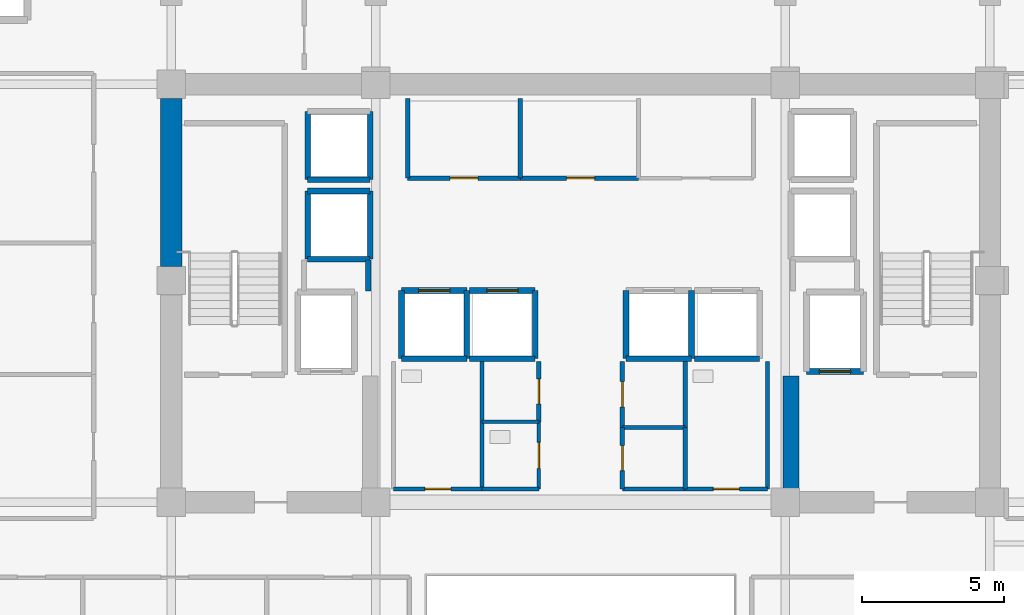
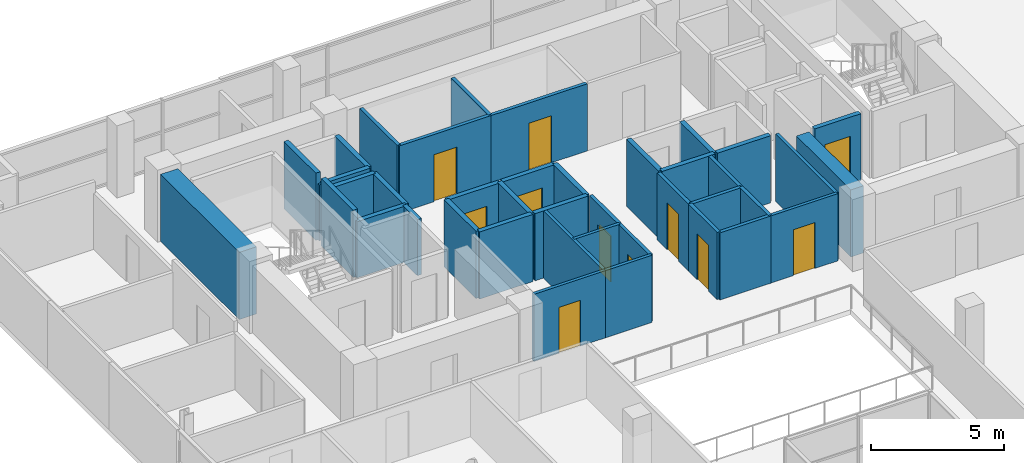
# One storey, part 17 of 23: 40 walls, 11 doors, 11 openings.
"""IFC4 building model written with IfcOpenShell, lengths in metres."""

import ifcopenshell
import ifcopenshell.guid

model = None  # the IFC model being written
_history = None  # IfcOwnerHistory: only IFC2X3 demands one
_inside = {}  # id of a spatial element -> (the spatial element, [elements in it])
_under = {}  # id of a project, library or spatial element -> (it, [spatial elements below it])
_declared = {}  # id of a project -> (the project, [libraries it declares])
_typed = {}  # id of a type object -> (the type object, [elements of that type])
_made_of = {}  # id of a material, layer set ... -> (it, [elements and type objects made of it])


def new_model(schema):
    """Start an empty IFC model of exactly this schema.

    Asked for "IFC4X3", IfcOpenShell would pick the latest addendum, in which some entities
    have other attributes; the version numbers below select the first issue.
    IFC2X3 requires an IfcOwnerHistory on every rooted entity: one is made here for all.
    """
    global model, _history
    if schema == "IFC4X3":
        model = ifcopenshell.file(schema_version=(4, 3, 0, 0))
    else:
        model = ifcopenshell.file(schema=schema)
    _inside.clear()
    _under.clear()
    _declared.clear()
    _typed.clear()
    _made_of.clear()
    _history = None
    if model.schema == "IFC2X3":
        org = make("IfcOrganization", Name="unknown")
        user = make(
            "IfcPersonAndOrganization",
            ThePerson=make("IfcPerson", FamilyName="unknown"),
            TheOrganization=org,
        )
        app = make(
            "IfcApplication",
            ApplicationDeveloper=org,
            Version="unknown",
            ApplicationFullName="unknown",
            ApplicationIdentifier="unknown",
        )
        _history = make(
            "IfcOwnerHistory",
            OwningUser=user,
            OwningApplication=app,
            ChangeAction="ADDED",
            CreationDate=0,
        )
    return model


def make(cls, **values):
    """One entity of the class cls with the attributes given. An attribute that is None is left unset."""
    return model.create_entity(
        cls, **{name: value for name, value in values.items() if value is not None}
    )


def rooted(cls, **values):
    """An entity with a GlobalId (a new one), such as an element, a storey or a relation."""
    return make(cls, GlobalId=ifcopenshell.guid.new(), OwnerHistory=_history, **values)


def si_unit(unit_type, name, prefix=None):
    """IfcSIUnit, for example si_unit("LENGTHUNIT", "METRE", prefix="MILLI")."""
    return make("IfcSIUnit", UnitType=unit_type, Prefix=prefix, Name=name)


def assignment(units):
    """IfcUnitAssignment: the units of a project."""
    return None if units is None else make("IfcUnitAssignment", Units=units)


def point(xyz):
    """IfcCartesianPoint."""
    return None if xyz is None else make("IfcCartesianPoint", Coordinates=xyz)


def direction(xyz):
    """IfcDirection."""
    return None if xyz is None else make("IfcDirection", DirectionRatios=xyz)


def frame(location, z_axis=None, x_axis=None):
    """IfcAxis2Placement3D, a coordinate frame: its origin and axes. An axis left out is left unset."""
    return make(
        "IfcAxis2Placement3D",
        Location=point(location),
        Axis=direction(z_axis),
        RefDirection=direction(x_axis),
    )


def frame_2d(location, x_axis=None):
    """IfcAxis2Placement2D, a coordinate frame in the plane: its origin and x axis."""
    return make(
        "IfcAxis2Placement2D", Location=point(location), RefDirection=direction(x_axis)
    )


def origin():
    """The frame at (0, 0, 0) with its axes left unset."""
    return frame((0.0, 0.0, 0.0))


def place(relative_to, where):
    """IfcLocalPlacement: puts the frame where relative to a parent placement (None: the world)."""
    return make(
        "IfcLocalPlacement", PlacementRelTo=relative_to, RelativePlacement=where
    )


def context(
    kind, dimensions, precision=None, world=None, true_north=None, identifier=None
):
    """IfcGeometricRepresentationContext, for example the 3D "Model" context."""
    return make(
        "IfcGeometricRepresentationContext",
        ContextIdentifier=identifier,
        ContextType=kind,
        CoordinateSpaceDimension=dimensions,
        Precision=precision,
        WorldCoordinateSystem=world,
        TrueNorth=true_north,
    )


def subcontext(parent, identifier, kind, view, scale=None):
    """IfcGeometricRepresentationSubContext, for example "Body" below "Model"."""
    return make(
        "IfcGeometricRepresentationSubContext",
        ContextIdentifier=identifier,
        ContextType=kind,
        ParentContext=parent,
        TargetScale=scale,
        TargetView=view,
    )


def project(units=None, contexts=None):
    """IfcProject with its units and contexts."""
    return rooted(
        "IfcProject",
        Name="project",
        RepresentationContexts=contexts,
        UnitsInContext=assignment(units),
    )


def spatial(cls, under=None, at=None, **own):
    """A site, building, storey or space (cls), placed at a placement, below another one or the project."""
    s = rooted(cls, ObjectPlacement=at, **own)
    if under is not None:
        _under.setdefault(under.id(), (under, []))[1].append(s)
    return s


def profile(cls, at=None, kind="AREA", **sizes):
    """A parametric profile (cls). Its sizes go by their IFC names, for example OverallWidth=200.0."""
    return make(cls, ProfileType=kind, Position=at, **sizes)


def rectangle(**sizes):
    """IfcRectangleProfileDef."""
    return profile("IfcRectangleProfileDef", **sizes)


def extrude(swept, where, along, depth):
    """IfcExtrudedAreaSolid: the profile swept, set in the frame where, extruded along a direction by depth."""
    return make(
        "IfcExtrudedAreaSolid",
        SweptArea=swept,
        Position=where,
        ExtrudedDirection=direction(along),
        Depth=depth,
    )


def shape(context_of_items, identifier, shape_type, items):
    """IfcShapeRepresentation: the items that make up one representation, for example the "Body"."""
    return make(
        "IfcShapeRepresentation",
        ContextOfItems=context_of_items,
        RepresentationIdentifier=identifier,
        RepresentationType=shape_type,
        Items=items,
    )


def source(mapping_origin, context_of_items, identifier, shape_type, items):
    """IfcRepresentationMap: a shape defined once, which mapped items show again and again."""
    return make(
        "IfcRepresentationMap",
        MappingOrigin=mapping_origin,
        MappedRepresentation=shape(context_of_items, identifier, shape_type, items),
    )


def transform(
    local_origin,
    x_axis=None,
    y_axis=None,
    z_axis=None,
    scale=None,
    scale2=None,
    scale3=None,
    uniform=True,
):
    """IfcCartesianTransformationOperator3D, or its non-uniform kind. x_axis, y_axis, z_axis: its Axis1, 2, 3."""
    if uniform:
        return make(
            "IfcCartesianTransformationOperator3D",
            Axis1=direction(x_axis),
            Axis2=direction(y_axis),
            LocalOrigin=point(local_origin),
            Scale=scale,
            Axis3=direction(z_axis),
        )
    return make(
        "IfcCartesianTransformationOperator3DnonUniform",
        Axis1=direction(x_axis),
        Axis2=direction(y_axis),
        LocalOrigin=point(local_origin),
        Scale=scale,
        Axis3=direction(z_axis),
        Scale2=scale2,
        Scale3=scale3,
    )


def mapped(mapping_source, mapping_target):
    """IfcMappedItem: shows the shape of a source again, moved by a transform."""
    return make(
        "IfcMappedItem", MappingSource=mapping_source, MappingTarget=mapping_target
    )


def material(Name=None, Category=None):
    """IfcMaterial."""
    return make("IfcMaterial", Name=Name, Category=Category)


def layer(
    of_material, thickness, ventilated=None, Name=None, Category=None, Priority=None
):
    """IfcMaterialLayer: one layer of a wall or slab, of a material (None: an air gap)."""
    return make(
        "IfcMaterialLayer",
        Material=of_material,
        LayerThickness=thickness,
        IsVentilated=ventilated,
        Name=Name,
        Category=Category,
        Priority=Priority,
    )


def layer_set(layers, Name=None):
    """IfcMaterialLayerSet."""
    return make("IfcMaterialLayerSet", MaterialLayers=layers, LayerSetName=Name)


def made_of(thing, what):
    """Note that an element or type object is made of a material, layer set ...; save() writes the relation."""
    if what is not None:
        _made_of.setdefault(what.id(), (what, []))[1].append(thing)
    return thing


def type_object(cls, material=None, **own):
    """A type object (cls), such as IfcWallType, which elements share."""
    return made_of(rooted(cls, **own), material)


def element(
    cls,
    number,
    at=None,
    inside=None,
    cuts=None,
    type_object=None,
    material=None,
    context=None,
    identifier="Body",
    shape_type=None,
    held_by="IfcProductDefinitionShape",
    body=None,
    shapes=None,
    **own,
):
    """One element of the class cls, such as IfcWall. Its Tag is "e" and its number.

    at: its placement. inside: the storey or other place that contains it. cuts: it is an
    opening in that element (IfcRelVoidsElement). A single representation is given by context,
    identifier, shape_type and body (its items); several are given by shapes. held_by: the class
    of the entity that holds the representations. save() writes the other relations.
    """
    e = rooted(cls, Tag="e%d" % number, ObjectPlacement=at, **own)
    if body is not None:
        shapes = [shape(context, identifier, shape_type, body)]
    if shapes is not None:
        e.Representation = make(held_by, Representations=shapes)
    if inside is not None:
        _inside.setdefault(inside.id(), (inside, []))[1].append(e)
    if cuts is not None:
        rooted(
            "IfcRelVoidsElement", RelatingBuildingElement=cuts, RelatedOpeningElement=e
        )
    if type_object is not None:
        _typed.setdefault(type_object.id(), (type_object, []))[1].append(e)
    return made_of(e, material)


def fill(opening, filler):
    """IfcRelFillsElement: the door or window that sits in an opening."""
    return rooted(
        "IfcRelFillsElement",
        RelatingOpeningElement=opening,
        RelatedBuildingElement=filler,
    )


def aggregate(whole, parts):
    """IfcRelAggregates: a whole, such as a stair, and the parts it consists of."""
    return rooted("IfcRelAggregates", RelatingObject=whole, RelatedObjects=parts)


def save(model, path):
    """Write the relations noted so far, then the file.

    IfcRelAggregates (storeys below a building ...), IfcRelContainedInSpatialStructure (elements
    in a storey), IfcRelDefinesByType, IfcRelAssociatesMaterial and IfcRelDeclares: one each for
    every whole, place, type object, material and project.
    """
    for whole, parts in _under.values():
        aggregate(whole, parts)
    for where, things in _inside.values():
        rooted(
            "IfcRelContainedInSpatialStructure",
            RelatedElements=things,
            RelatingStructure=where,
        )
    for kind, things in _typed.values():
        rooted("IfcRelDefinesByType", RelatedObjects=things, RelatingType=kind)
    for what, things in _made_of.values():
        rooted("IfcRelAssociatesMaterial", RelatedObjects=things, RelatingMaterial=what)
    for by, libraries in _declared.values():
        rooted("IfcRelDeclares", RelatingContext=by, RelatedDefinitions=libraries)
    model.write(path)


model = new_model("IFC4")

# Units and contexts
model_context = context("Model", 3, precision=1e-05, world=origin(), true_north=direction((0.0, 1.0)))
body_context = subcontext(model_context, "Body", "Model", "MODEL_VIEW")
ifc_project = project(units=[si_unit("LENGTHUNIT", "METRE"), si_unit("AREAUNIT", "SQUARE_METRE"), si_unit("VOLUMEUNIT", "CUBIC_METRE"), si_unit("PLANEANGLEUNIT", "RADIAN"), si_unit("MASSUNIT", "GRAM", prefix="KILO")], contexts=[model_context])

# Site, building, storey
site_placement = place(None, origin())
site = spatial("IfcSite", under=ifc_project, at=site_placement, CompositionType="ELEMENT")
building_placement = place(site_placement, origin())
building = spatial("IfcBuilding", under=site, at=building_placement, Name="Zarnakvel Exchange Tower", CompositionType="ELEMENT")
storey_placement = place(building_placement, frame((0.0, 0.0, 175.89990234375)))
storey = spatial("IfcBuildingStorey", under=building, at=storey_placement, Name="L49", CompositionType="ELEMENT", Elevation=175.89990234375)

# Walls
ifc_material_1 = material(Name="Concrete C60/75", Category="concrete")
ifc_layer_1 = layer(ifc_material_1, 0.75)
ifc_layer_set_1 = layer_set([ifc_layer_1], Name="Concrete C60/75")
wall_type_1 = type_object("IfcWallType", Name="CW-C3", PredefinedType="SHEAR", material=ifc_layer_set_1)
wall_1_placement = place(storey_placement, frame((-14.39990234375, 7.10009765625, 0.0), z_axis=(0.0, 0.0, 1.0), x_axis=(0.0, 1.0, 0.0)))
element("IfcWall", 1, at=wall_1_placement, inside=storey, type_object=wall_type_1, Name="L49 Rear Core Shear Wall W2 (CW-C3)", PredefinedType="SHEAR", context=body_context, shape_type="SweptSolid", body=[
    extrude(rectangle(XDim=5.89990234375, YDim=0.75, at=frame_2d((2.949951171875, 0.0))), origin(), (0.0, 0.0, 1.0), 3.0751953125),
])
ifc_layer_2 = layer(ifc_material_1, 0.550048828125)
ifc_layer_set_2 = layer_set([ifc_layer_2], Name="Concrete C60/75")
wall_type_2 = type_object("IfcWallType", Name="CW-C4", PredefinedType="SHEAR", material=ifc_layer_set_2)
wall_2_placement = place(storey_placement, frame((7.39990234375, -0.824951171875, 0.0), z_axis=(0.0, 0.0, 1.0), x_axis=(0.0, 1.0, 0.0)))
element("IfcWall", 2, at=wall_2_placement, inside=storey, type_object=wall_type_2, Name="L49 Rear Core Shear Wall IE (CW-C4)", PredefinedType="SHEAR", context=body_context, shape_type="SweptSolid", body=[
    extrude(rectangle(XDim=4.074951171875, YDim=0.550048828125, at=frame_2d((2.03759765625, 0.0))), origin(), (0.0, 0.0, 1.0), 3.0751953125),
])

# Wall, opening, door
ifc_material_2 = material(Name="Fire-Rated Gypsum Stud Partition", Category="gypsum")
ifc_layer_3 = layer(ifc_material_2, 0.14990234375)
ifc_layer_set_3 = layer_set([ifc_layer_3], Name="Fire-Rated Gypsum Stud Partition")
wall_type_3 = type_object("IfcWallType", Name="PT-01", PredefinedType="PARTITIONING", material=ifc_layer_set_3)
wall_3_placement = place(storey_placement, frame((-2.1201171875, 10.199951171875, 0.0), z_axis=(0.0, 0.0, 1.0), x_axis=(-1.0, 0.0, 0.0)))
wall_3 = element("IfcWall", 3, at=wall_3_placement, inside=storey, type_object=wall_type_3, Name="L49 Partition Wall PWALL-L49-011 (PT-01)", PredefinedType="PARTITIONING", context=body_context, shape_type="SweptSolid", body=[
    extrude(rectangle(XDim=3.9599609375, YDim=0.14990234375, at=frame_2d((1.97998046875, 0.0))), origin(), (0.0, 0.0, 1.0), 3.0751953125),
])
opening_1_placement = place(wall_3_placement, frame((1.489990234375, 0.0, 0.0)))
opening_1 = element("IfcOpeningElement", 4, at=opening_1_placement, cuts=wall_3, Name="Opening D-L49-05", PredefinedType="OPENING", context=body_context, shape_type="SweptSolid", body=[
    extrude(rectangle(XDim=0.97998046875, YDim=2.14990234375, at=frame_2d((0.489990234375, 1.074951171875))), frame((0.0, 0.0849609375, 0.0), z_axis=(0.0, -1.0, 0.0), x_axis=(1.0, 0.0, 0.0)), (0.0, 0.0, 1.0), 0.169921875),
])
ifc_material_3 = material(Name="Timber Acoustic Veneer", Category="wood")
door_type_1 = type_object("IfcDoorType", Name="DT-05", OperationType="NOTDEFINED", PredefinedType="DOOR", material=ifc_material_3)
shared_shape_1 = source(origin(), body_context, "Body", "SweptSolid", [
    extrude(rectangle(XDim=0.97998046875, YDim=2.14990234375, at=frame_2d((0.489990234375, 1.074951171875))), frame((0.0, 0.02490234375, 0.0), z_axis=(0.0, -1.0, 0.0), x_axis=(1.0, 0.0, 0.0)), (0.0, 0.0, 1.0), 0.050048828125),
])
door_1_placement = place(opening_1_placement, origin())
door_1 = element("IfcDoor", 5, at=door_1_placement, inside=storey, type_object=door_type_1, Name="L49 Clearing Records Office Door D-L49-05", OperationType="SINGLE_SWING_LEFT", OverallHeight=2.14990234375, OverallWidth=0.97998046875, PredefinedType="DOOR", context=body_context, shape_type="MappedRepresentation", body=[
    mapped(shared_shape_1, transform((0.0, 0.0, 0.0), x_axis=(1.0, 0.0, 0.0), y_axis=(0.0, 1.0, 0.0), z_axis=(0.0, 0.0, 1.0), scale=1.0)),
])
fill(opening_1, door_1)

# Walls
for number, where, z_axis, x_axis, name in (
    (6, (-6.080078125, 10.199951171875, 0.0), (0.0, 0.0, 1.0), (0.0, 1.0, 0.0), "L49 Partition Wall PWALL-L49-012 (PT-01)"),
    (7, (-2.1201171875, 13.0, 0.0), (0.0, 0.0, 1.0), (0.0, -1.0, 0.0), "L49 Partition Wall PWALL-L49-013 (PT-01)"),
):
    element("IfcWall", number, at=place(storey_placement, frame(where, z_axis=z_axis, x_axis=x_axis)), inside=storey, type_object=wall_type_3, Name=name, PredefinedType="PARTITIONING", context=body_context, shape_type="SweptSolid", body=[
        extrude(rectangle(XDim=2.800048828125, YDim=0.14990234375, at=frame_2d((1.39990234375, 0.0))), origin(), (0.0, 0.0, 1.0), 3.0751953125),
    ])

# Wall, opening, door
wall_4_placement = place(storey_placement, frame((2.0400390625, 10.199951171875, 0.0), z_axis=(0.0, 0.0, 1.0), x_axis=(-1.0, 0.0, 0.0)))
wall_4 = element("IfcWall", 8, at=wall_4_placement, inside=storey, type_object=wall_type_3, Name="L49 Partition Wall PWALL-L49-014 (PT-01)", PredefinedType="PARTITIONING", context=body_context, shape_type="SweptSolid", body=[
    extrude(rectangle(XDim=4.16015625, YDim=0.14990234375, at=frame_2d((2.080078125, 0.0))), origin(), (0.0, 0.0, 1.0), 3.0751953125),
])
opening_2_placement = place(wall_4_placement, frame((1.550048828125, 0.0, 0.0)))
opening_2 = element("IfcOpeningElement", 9, at=opening_2_placement, cuts=wall_4, Name="Opening D-L49-06", PredefinedType="OPENING", context=body_context, shape_type="SweptSolid", body=[
    extrude(rectangle(XDim=0.97998046875, YDim=2.14990234375, at=frame_2d((0.489990234375, 1.074951171875))), frame((0.0, 0.0849609375, 0.0), z_axis=(0.0, -1.0, 0.0), x_axis=(1.0, 0.0, 0.0)), (0.0, 0.0, 1.0), 0.169921875),
])
door_2_placement = place(opening_2_placement, origin())
door_2 = element("IfcDoor", 10, at=door_2_placement, inside=storey, type_object=door_type_1, Name="L49 Brokerage Filing Room Door D-L49-06", OperationType="SINGLE_SWING_RIGHT", OverallHeight=2.14990234375, OverallWidth=0.97998046875, PredefinedType="DOOR", context=body_context, shape_type="MappedRepresentation", body=[
    mapped(shared_shape_1, transform((0.0, 0.0, 0.0), x_axis=(1.0, 0.0, 0.0), y_axis=(0.0, 1.0, 0.0), z_axis=(0.0, 0.0, 1.0), scale=1.0)),
])
fill(opening_2, door_2)

wall_5_placement = place(storey_placement, frame((-1.469970703125, 3.760009765625, 0.0), z_axis=(0.0, 0.0, 1.0), x_axis=(0.0, -1.0, 0.0)))
wall_5 = element("IfcWall", 11, at=wall_5_placement, inside=storey, type_object=wall_type_3, Name="L49 Partition Wall PWALL-L49-024 (PT-01)", PredefinedType="PARTITIONING", context=body_context, shape_type="SweptSolid", body=[
    extrude(rectangle(XDim=2.130126953125, YDim=0.14990234375, at=frame_2d((1.06494140625, 0.0))), origin(), (0.0, 0.0, 1.0), 3.0751953125),
])
opening_3_placement = place(wall_5_placement, frame((0.6201171875, 0.0, 0.0)))
opening_3 = element("IfcOpeningElement", 12, at=opening_3_placement, cuts=wall_5, Name="Opening D-L49-10", PredefinedType="OPENING", context=body_context, shape_type="SweptSolid", body=[
    extrude(rectangle(XDim=0.8798828125, YDim=2.10009765625, at=frame_2d((0.43994140625, 1.050048828125))), frame((0.0, 0.0849609375, 0.0), z_axis=(0.0, -1.0, 0.0), x_axis=(1.0, 0.0, 0.0)), (0.0, 0.0, 1.0), 0.169921875),
])
ifc_material_4 = material(Name="Painted Galvanised Steel S355", Category="steel")
door_type_2 = type_object("IfcDoorType", Name="DT-08", OperationType="NOTDEFINED", PredefinedType="DOOR", material=ifc_material_4)
shared_shape_2 = source(origin(), body_context, "Body", "SweptSolid", [
    extrude(rectangle(XDim=0.8798828125, YDim=2.10009765625, at=frame_2d((0.43994140625, 1.050048828125))), frame((0.0, 0.02490234375, 0.0), z_axis=(0.0, -1.0, 0.0), x_axis=(1.0, 0.0, 0.0)), (0.0, 0.0, 1.0), 0.050048828125),
])
door_3_placement = place(opening_3_placement, origin())
door_3 = element("IfcDoor", 13, at=door_3_placement, inside=storey, type_object=door_type_2, Name="L49 Core Comms Room Door D-L49-10", OperationType="SINGLE_SWING_RIGHT", OverallHeight=2.10009765625, OverallWidth=0.8798828125, PredefinedType="DOOR", context=body_context, shape_type="MappedRepresentation", body=[
    mapped(shared_shape_2, transform((0.0, 0.0, 0.0), x_axis=(1.0, 0.0, 0.0), y_axis=(0.0, 1.0, 0.0), z_axis=(0.0, 0.0, 1.0), scale=1.0)),
])
fill(opening_3, door_3)

# Walls
for number, where, z_axis, x_axis, name in (
    (14, (3.679931640625, -0.72998046875, 0.0), (0.0, 0.0, 1.0), (-1.0, 0.0, 0.0), "L49 Partition Wall PWALL-L49-025 (PT-01)"),
    (15, (1.469970703125, 1.429931640625, 0.0), (0.0, 0.0, 1.0), (1.0, 0.0, 0.0), "L49 Partition Wall PWALL-L49-026 (PT-01)"),
):
    element("IfcWall", number, at=place(storey_placement, frame(where, z_axis=z_axis, x_axis=x_axis)), inside=storey, type_object=wall_type_3, Name=name, PredefinedType="PARTITIONING", context=body_context, shape_type="SweptSolid", body=[
        extrude(rectangle(XDim=2.2099609375, YDim=0.14990234375, at=frame_2d((1.10498046875, 0.0))), origin(), (0.0, 0.0, 1.0), 3.0751953125),
    ])

# Wall, opening, door
wall_6_placement = place(storey_placement, frame((1.469970703125, -0.72998046875, 0.0), z_axis=(0.0, 0.0, 1.0), x_axis=(0.0, 1.0, 0.0)))
wall_6 = element("IfcWall", 16, at=wall_6_placement, inside=storey, type_object=wall_type_3, Name="L49 Partition Wall PWALL-L49-027 (PT-01)", PredefinedType="PARTITIONING", context=body_context, shape_type="SweptSolid", body=[
    extrude(rectangle(XDim=2.159912109375, YDim=0.14990234375, at=frame_2d((1.080078125, 0.0))), origin(), (0.0, 0.0, 1.0), 3.0751953125),
])
opening_4_placement = place(wall_6_placement, frame((0.639892578125, 0.0, 0.0)))
opening_4 = element("IfcOpeningElement", 17, at=opening_4_placement, cuts=wall_6, Name="Opening D-L49-11", PredefinedType="OPENING", context=body_context, shape_type="SweptSolid", body=[
    extrude(rectangle(XDim=0.8798828125, YDim=2.10009765625, at=frame_2d((0.43994140625, 1.050048828125))), frame((0.0, 0.0849609375, 0.0), z_axis=(0.0, -1.0, 0.0), x_axis=(1.0, 0.0, 0.0)), (0.0, 0.0, 1.0), 0.169921875),
])
door_4_placement = place(opening_4_placement, origin())
door_4 = element("IfcDoor", 18, at=door_4_placement, inside=storey, type_object=door_type_2, Name="L49 Janitor Store Door D-L49-11", OperationType="SINGLE_SWING_LEFT", OverallHeight=2.10009765625, OverallWidth=0.8798828125, PredefinedType="DOOR", context=body_context, shape_type="MappedRepresentation", body=[
    mapped(shared_shape_2, transform((0.0, 0.0, 0.0), x_axis=(1.0, 0.0, 0.0), y_axis=(0.0, 1.0, 0.0), z_axis=(0.0, 0.0, 1.0), scale=1.0)),
])
fill(opening_4, door_4)

# Wall
wall_7_placement = place(storey_placement, frame((3.679931640625, 1.429931640625, 0.0), z_axis=(0.0, 0.0, 1.0), x_axis=(0.0, -1.0, 0.0)))
element("IfcWall", 19, at=wall_7_placement, inside=storey, type_object=wall_type_3, Name="L49 Partition Wall PWALL-L49-028 (PT-01)", PredefinedType="PARTITIONING", context=body_context, shape_type="SweptSolid", body=[
    extrude(rectangle(XDim=2.159912109375, YDim=0.14990234375, at=frame_2d((1.080078125, 0.0))), origin(), (0.0, 0.0, 1.0), 3.0751953125),
])

# Wall, opening, door
wall_8_placement = place(storey_placement, frame((1.469970703125, 1.429931640625, 0.0), z_axis=(0.0, 0.0, 1.0), x_axis=(0.0, 1.0, 0.0)))
wall_8 = element("IfcWall", 20, at=wall_8_placement, inside=storey, type_object=wall_type_3, Name="L49 Partition Wall PWALL-L49-029 (PT-01)", PredefinedType="PARTITIONING", context=body_context, shape_type="SweptSolid", body=[
    extrude(rectangle(XDim=2.330078125, YDim=0.14990234375, at=frame_2d((1.1650390625, 0.0))), origin(), (0.0, 0.0, 1.0), 3.0751953125),
])
opening_5_placement = place(wall_8_placement, frame((0.72998046875, 0.0, 0.0)))
opening_5 = element("IfcOpeningElement", 21, at=opening_5_placement, cuts=wall_8, Name="Opening D-L49-12", PredefinedType="OPENING", context=body_context, shape_type="SweptSolid", body=[
    extrude(rectangle(XDim=0.8798828125, YDim=2.14990234375, at=frame_2d((0.43994140625, 1.074951171875))), frame((0.0, 0.0849609375, 0.0), z_axis=(0.0, -1.0, 0.0), x_axis=(1.0, 0.0, 0.0)), (0.0, 0.0, 1.0), 0.169921875),
])
shared_shape_3 = source(origin(), body_context, "Body", "SweptSolid", [
    extrude(rectangle(XDim=0.8798828125, YDim=2.14990234375, at=frame_2d((0.43994140625, 1.074951171875))), frame((0.0, 0.02490234375, 0.0), z_axis=(0.0, -1.0, 0.0), x_axis=(1.0, 0.0, 0.0)), (0.0, 0.0, 1.0), 0.050048828125),
])
door_5_placement = place(opening_5_placement, origin())
door_5 = element("IfcDoor", 22, at=door_5_placement, inside=storey, type_object=door_type_1, Name="L49 Stationery Store Door D-L49-12", OperationType="SINGLE_SWING_RIGHT", OverallHeight=2.14990234375, OverallWidth=0.8798828125, PredefinedType="DOOR", context=body_context, shape_type="MappedRepresentation", body=[
    mapped(shared_shape_3, transform((0.0, 0.0, 0.0), x_axis=(1.0, 0.0, 0.0), y_axis=(0.0, 1.0, 0.0), z_axis=(0.0, 0.0, 1.0), scale=1.0)),
])
fill(opening_5, door_5)

# Walls
wall_9_placement = place(storey_placement, frame((3.679931640625, 3.760009765625, 0.0), z_axis=(0.0, 0.0, 1.0), x_axis=(0.0, -1.0, 0.0)))
element("IfcWall", 23, at=wall_9_placement, inside=storey, type_object=wall_type_3, Name="L49 Partition Wall PWALL-L49-030 (PT-01)", PredefinedType="PARTITIONING", context=body_context, shape_type="SweptSolid", body=[
    extrude(rectangle(XDim=2.330078125, YDim=0.14990234375, at=frame_2d((1.1650390625, 0.0))), origin(), (0.0, 0.0, 1.0), 3.0751953125),
])
ifc_layer_4 = layer(ifc_material_2, 0.179931640625)
ifc_layer_set_4 = layer_set([ifc_layer_4], Name="Fire-Rated Gypsum Stud Partition")
wall_type_4 = type_object("IfcWallType", Name="PT-02", PredefinedType="PARTITIONING", material=ifc_layer_set_4)
wall_10_placement = place(storey_placement, frame((-7.469970703125, 7.330078125, 0.0), z_axis=(0.0, 0.0, 1.0), x_axis=(0.0, -1.0, 0.0)))
element("IfcWall", 24, at=wall_10_placement, inside=storey, type_object=wall_type_4, Name="L49 Partition Wall PWALL-L49-008 (PT-02)", PredefinedType="PARTITIONING", context=body_context, shape_type="SweptSolid", body=[
    extrude(rectangle(XDim=1.090087890625, YDim=0.179931640625, at=frame_2d((0.544921875, 0.0))), origin(), (0.0, 0.0, 1.0), 2.565185546875),
])

# Wall, opening, door
ifc_material_5 = material(Name="Moisture-Resistant Tile-Faced Partition", Category="gypsum")
ifc_layer_5 = layer(ifc_material_5, 0.135009765625)
ifc_layer_set_5 = layer_set([ifc_layer_5], Name="Moisture-Resistant Tile-Faced Partition")
wall_type_5 = type_object("IfcWallType", Name="PT-03", PredefinedType="PARTITIONING", material=ifc_layer_set_5)
wall_11_placement = place(storey_placement, frame((-3.469970703125, -0.72998046875, 0.0), z_axis=(0.0, 0.0, 1.0), x_axis=(-1.0, 0.0, 0.0)))
wall_11 = element("IfcWall", 25, at=wall_11_placement, inside=storey, type_object=wall_type_5, Name="L49 Partition Wall PWALL-L49-018 (PT-03)", PredefinedType="PARTITIONING", context=body_context, shape_type="SweptSolid", body=[
    extrude(rectangle(XDim=3.110107421875, YDim=0.135009765625, at=frame_2d((1.55517578125, 0.0))), origin(), (0.0, 0.0, 1.0), 3.0751953125),
])
opening_6_placement = place(wall_11_placement, frame((1.090087890625, 0.0, 0.0)))
opening_6 = element("IfcOpeningElement", 26, at=opening_6_placement, cuts=wall_11, Name="Opening D-L49-08", PredefinedType="OPENING", context=body_context, shape_type="SweptSolid", body=[
    extrude(rectangle(XDim=0.919921875, YDim=2.10009765625, at=frame_2d((0.4599609375, 1.050048828125))), frame((0.0, 0.077392578125, 0.0), z_axis=(0.0, -1.0, 0.0), x_axis=(1.0, 0.0, 0.0)), (0.0, 0.0, 1.0), 0.155029296875),
])
ifc_material_6 = material(Name="Moisture-Resistant Laminate Timber", Category="wood")
door_type_3 = type_object("IfcDoorType", Name="DT-07", OperationType="NOTDEFINED", PredefinedType="DOOR", material=ifc_material_6)
shared_shape_4 = source(origin(), body_context, "Body", "SweptSolid", [
    extrude(rectangle(XDim=0.919921875, YDim=2.10009765625, at=frame_2d((0.4599609375, 1.050048828125))), frame((0.0, 0.02490234375, 0.0), z_axis=(0.0, -1.0, 0.0), x_axis=(1.0, 0.0, 0.0)), (0.0, 0.0, 1.0), 0.050048828125),
])
door_6_placement = place(opening_6_placement, origin())
door_6 = element("IfcDoor", 27, at=door_6_placement, inside=storey, type_object=door_type_3, Name="L49 Male Toilet Door D-L49-08", OperationType="SINGLE_SWING_RIGHT", OverallHeight=2.10009765625, OverallWidth=0.919921875, PredefinedType="DOOR", context=body_context, shape_type="MappedRepresentation", body=[
    mapped(shared_shape_4, transform((0.0, 0.0, 0.0), x_axis=(1.0, 0.0, 0.0), y_axis=(0.0, 1.0, 0.0), z_axis=(0.0, 0.0, 1.0), scale=1.0)),
])
fill(opening_6, door_6)

# Walls
wall_12_placement = place(storey_placement, frame((-3.469970703125, 3.760009765625, 0.0), z_axis=(0.0, 0.0, 1.0), x_axis=(0.0, -1.0, 0.0)))
element("IfcWall", 28, at=wall_12_placement, inside=storey, type_object=wall_type_5, Name="L49 Partition Wall PWALL-L49-020 (PT-03)", PredefinedType="PARTITIONING", context=body_context, shape_type="SweptSolid", body=[
    extrude(rectangle(XDim=4.489990234375, YDim=0.135009765625, at=frame_2d((2.2451171875, 0.0))), origin(), (0.0, 0.0, 1.0), 3.0751953125),
])
for number, where, z_axis, x_axis, name in (
    (29, (-1.469970703125, -0.72998046875, 0.0), (0.0, 0.0, 1.0), (-1.0, 0.0, 0.0), "L49 Partition Wall PWALL-L49-021 (PT-03)"),
    (30, (-3.469970703125, 1.6298828125, 0.0), (0.0, 0.0, 1.0), (1.0, 0.0, 0.0), "L49 Partition Wall PWALL-L49-022 (PT-03)"),
):
    element("IfcWall", number, at=place(storey_placement, frame(where, z_axis=z_axis, x_axis=x_axis)), inside=storey, type_object=wall_type_5, Name=name, PredefinedType="PARTITIONING", context=body_context, shape_type="SweptSolid", body=[
        extrude(rectangle(XDim=2.0, YDim=0.135009765625, at=frame_2d((1.0, 0.0))), origin(), (0.0, 0.0, 1.0), 3.0751953125),
    ])

# Wall, opening, door
wall_13_placement = place(storey_placement, frame((-1.469970703125, 1.6298828125, 0.0), z_axis=(0.0, 0.0, 1.0), x_axis=(0.0, -1.0, 0.0)))
wall_13 = element("IfcWall", 31, at=wall_13_placement, inside=storey, type_object=wall_type_5, Name="L49 Partition Wall PWALL-L49-023 (PT-03)", PredefinedType="PARTITIONING", context=body_context, shape_type="SweptSolid", body=[
    extrude(rectangle(XDim=2.35986328125, YDim=0.135009765625, at=frame_2d((1.179931640625, 0.0))), origin(), (0.0, 0.0, 1.0), 3.0751953125),
])
opening_7_placement = place(wall_13_placement, frame((0.719970703125, 0.0, 0.0)))
opening_7 = element("IfcOpeningElement", 32, at=opening_7_placement, cuts=wall_13, Name="Opening D-L49-09", PredefinedType="OPENING", context=body_context, shape_type="SweptSolid", body=[
    extrude(rectangle(XDim=0.919921875, YDim=2.10009765625, at=frame_2d((0.4599609375, 1.050048828125))), frame((0.0, 0.077392578125, 0.0), z_axis=(0.0, -1.0, 0.0), x_axis=(1.0, 0.0, 0.0)), (0.0, 0.0, 1.0), 0.155029296875),
])
door_7_placement = place(opening_7_placement, origin())
door_7 = element("IfcDoor", 33, at=door_7_placement, inside=storey, type_object=door_type_3, Name="L49 Accessible Toilet Door D-L49-09", OperationType="SINGLE_SWING_LEFT", OverallHeight=2.10009765625, OverallWidth=0.919921875, PredefinedType="DOOR", context=body_context, shape_type="MappedRepresentation", body=[
    mapped(shared_shape_4, transform((0.0, 0.0, 0.0), x_axis=(1.0, 0.0, 0.0), y_axis=(0.0, 1.0, 0.0), z_axis=(0.0, 0.0, 1.0), scale=1.0)),
])
fill(opening_7, door_7)

wall_14_placement = place(storey_placement, frame((6.580078125, -0.72998046875, 0.0), z_axis=(0.0, 0.0, 1.0), x_axis=(-1.0, 0.0, 0.0)))
wall_14 = element("IfcWall", 34, at=wall_14_placement, inside=storey, type_object=wall_type_5, Name="L49 Partition Wall PWALL-L49-031 (PT-03)", PredefinedType="PARTITIONING", context=body_context, shape_type="SweptSolid", body=[
    extrude(rectangle(XDim=2.900146484375, YDim=0.135009765625, at=frame_2d((1.4501953125, 0.0))), origin(), (0.0, 0.0, 1.0), 3.0751953125),
])
opening_8_placement = place(wall_14_placement, frame((0.989990234375, 0.0, 0.0)))
opening_8 = element("IfcOpeningElement", 35, at=opening_8_placement, cuts=wall_14, Name="Opening D-L49-13", PredefinedType="OPENING", context=body_context, shape_type="SweptSolid", body=[
    extrude(rectangle(XDim=0.919921875, YDim=2.10009765625, at=frame_2d((0.4599609375, 1.050048828125))), frame((0.0, 0.077392578125, 0.0), z_axis=(0.0, -1.0, 0.0), x_axis=(1.0, 0.0, 0.0)), (0.0, 0.0, 1.0), 0.155029296875),
])
door_8_placement = place(opening_8_placement, origin())
door_8 = element("IfcDoor", 36, at=door_8_placement, inside=storey, type_object=door_type_3, Name="L49 Female Toilet Door D-L49-13", OperationType="SINGLE_SWING_LEFT", OverallHeight=2.10009765625, OverallWidth=0.919921875, PredefinedType="DOOR", context=body_context, shape_type="MappedRepresentation", body=[
    mapped(shared_shape_4, transform((0.0, 0.0, 0.0), x_axis=(1.0, 0.0, 0.0), y_axis=(0.0, 1.0, 0.0), z_axis=(0.0, 0.0, 1.0), scale=1.0)),
])
fill(opening_8, door_8)

# Wall
wall_15_placement = place(storey_placement, frame((6.580078125, 3.760009765625, 0.0), z_axis=(0.0, 0.0, 1.0), x_axis=(0.0, -1.0, 0.0)))
element("IfcWall", 37, at=wall_15_placement, inside=storey, type_object=wall_type_5, Name="L49 Partition Wall PWALL-L49-032 (PT-03)", PredefinedType="PARTITIONING", context=body_context, shape_type="SweptSolid", body=[
    extrude(rectangle(XDim=4.489990234375, YDim=0.135009765625, at=frame_2d((2.2451171875, 0.0))), origin(), (0.0, 0.0, 1.0), 3.0751953125),
])

# Wall, opening, door
ifc_material_7 = material(Name="Concrete C40/50", Category="concrete")
ifc_layer_6 = layer(ifc_material_7, 0.199951171875)
ifc_layer_set_6 = layer_set([ifc_layer_6], Name="Concrete C40/50")
wall_type_6 = type_object("IfcWallType", Name="SW-01", PredefinedType="SOLIDWALL", material=ifc_layer_set_6)
wall_16_placement = place(storey_placement, frame((9.949951171875, 3.39990234375, 0.0), z_axis=(0.0, 0.0, 1.0), x_axis=(-1.0, 0.0, 0.0)))
wall_16 = element("IfcWall", 38, at=wall_16_placement, inside=storey, type_object=wall_type_6, Name="L49 FL-02 Hoistway Wall South", PredefinedType="SOLIDWALL", context=body_context, shape_type="SweptSolid", body=[
    extrude(rectangle(XDim=2.0, YDim=0.199951171875, at=frame_2d((1.0, 0.0))), origin(), (0.0, 0.0, 1.0), 3.0751953125),
])
opening_9_placement = place(wall_16_placement, frame((0.449951171875, 0.0, 0.0)))
opening_9 = element("IfcOpeningElement", 39, at=opening_9_placement, cuts=wall_16, Name="Opening LD-FL-02-L49", PredefinedType="OPENING", context=body_context, shape_type="SweptSolid", body=[
    extrude(rectangle(XDim=1.10009765625, YDim=2.199951171875, at=frame_2d((0.550048828125, 1.10009765625))), frame((0.0, 0.10986328125, 0.0), z_axis=(0.0, -1.0, 0.0), x_axis=(1.0, 0.0, 0.0)), (0.0, 0.0, 1.0), 0.219970703125),
])
ifc_material_8 = material(Name="Brushed Stainless Steel", Category="steel")
door_type_4 = type_object("IfcDoorType", Name="LDT-01", OperationType="NOTDEFINED", PredefinedType="DOOR", material=ifc_material_8)
shared_shape_5 = source(origin(), body_context, "Body", "SweptSolid", [
    extrude(rectangle(XDim=1.10009765625, YDim=2.199951171875, at=frame_2d((0.550048828125, 1.10009765625))), frame((0.0, 0.02490234375, 0.0), z_axis=(0.0, -1.0, 0.0), x_axis=(1.0, 0.0, 0.0)), (0.0, 0.0, 1.0), 0.050048828125),
])
door_9_placement = place(opening_9_placement, origin())
door_9 = element("IfcDoor", 40, at=door_9_placement, inside=storey, type_object=door_type_4, Name="L49 FL-02 Lift Landing Door LD-FL-02-L49", OperationType="DOUBLE_DOOR_SLIDING", OverallHeight=2.199951171875, OverallWidth=1.10009765625, PredefinedType="DOOR", context=body_context, shape_type="MappedRepresentation", body=[
    mapped(shared_shape_5, transform((0.0, 0.0, 0.0), x_axis=(1.0, 0.0, 0.0), y_axis=(0.0, 1.0, 0.0), z_axis=(0.0, 0.0, 1.0), scale=1.0)),
])
fill(opening_9, door_9)

# Wall
wall_17_placement = place(storey_placement, frame((-4.0, 3.85009765625, 0.0), z_axis=(0.0, 0.0, 1.0), x_axis=(-1.0, 0.0, 0.0)))
element("IfcWall", 41, at=wall_17_placement, inside=storey, type_object=wall_type_6, Name="L49 PL-05 Hoistway Wall South", PredefinedType="SOLIDWALL", context=body_context, shape_type="SweptSolid", body=[
    extrude(rectangle(XDim=2.300048828125, YDim=0.199951171875, at=frame_2d((1.14990234375, 0.0))), origin(), (0.0, 0.0, 1.0), 3.0751953125),
])

# Wall, opening, door
wall_18_placement = place(storey_placement, frame((-6.300048828125, 6.25, 0.0), z_axis=(0.0, 0.0, 1.0), x_axis=(1.0, 0.0, 0.0)))
wall_18 = element("IfcWall", 42, at=wall_18_placement, inside=storey, type_object=wall_type_6, Name="L49 PL-05 Hoistway Wall North", PredefinedType="SOLIDWALL", context=body_context, shape_type="SweptSolid", body=[
    extrude(rectangle(XDim=2.300048828125, YDim=0.199951171875, at=frame_2d((1.14990234375, 0.0))), origin(), (0.0, 0.0, 1.0), 3.0751953125),
])
opening_10_placement = place(wall_18_placement, frame((0.60009765625, 0.0, 0.0)))
opening_10 = element("IfcOpeningElement", 43, at=opening_10_placement, cuts=wall_18, Name="Opening LD-PL-05-L49", PredefinedType="OPENING", context=body_context, shape_type="SweptSolid", body=[
    extrude(rectangle(XDim=1.10009765625, YDim=2.199951171875, at=frame_2d((0.550048828125, 1.10009765625))), frame((0.0, 0.10986328125, 0.0), z_axis=(0.0, -1.0, 0.0), x_axis=(1.0, 0.0, 0.0)), (0.0, 0.0, 1.0), 0.219970703125),
])
ifc_material_9 = material(Name="Architectural Bronze Anodised Aluminium", Category="aluminium")
door_type_5 = type_object("IfcDoorType", Name="LDT-02", OperationType="NOTDEFINED", PredefinedType="DOOR", material=ifc_material_9)
door_10_placement = place(opening_10_placement, origin())
door_10 = element("IfcDoor", 44, at=door_10_placement, inside=storey, type_object=door_type_5, Name="L49 PL-05 Lift Landing Door LD-PL-05-L49", OperationType="DOUBLE_DOOR_SLIDING", OverallHeight=2.199951171875, OverallWidth=1.10009765625, PredefinedType="DOOR", context=body_context, shape_type="MappedRepresentation", body=[
    mapped(shared_shape_5, transform((0.0, 0.0, 0.0), x_axis=(1.0, 0.0, 0.0), y_axis=(0.0, 1.0, 0.0), z_axis=(0.0, 0.0, 1.0), scale=1.0)),
])
fill(opening_10, door_10)

# Walls
for number, where, z_axis, x_axis, name in (
    (45, (-6.300048828125, 3.85009765625, 0.0), (0.0, 0.0, 1.0), (0.0, 1.0, 0.0), "L49 PL-05 Hoistway Wall West"),
    (46, (-4.0, 6.25, 0.0), (0.0, 0.0, 1.0), (0.0, -1.0, 0.0), "L49 PL-05 Hoistway Wall East"),
):
    element("IfcWall", number, at=place(storey_placement, frame(where, z_axis=z_axis, x_axis=x_axis)), inside=storey, type_object=wall_type_6, Name=name, PredefinedType="SOLIDWALL", context=body_context, shape_type="SweptSolid", body=[
        extrude(rectangle(XDim=2.39990234375, YDim=0.199951171875, at=frame_2d((1.199951171875, 0.0))), origin(), (0.0, 0.0, 1.0), 3.0751953125),
    ])
wall_19_placement = place(storey_placement, frame((-1.60009765625, 3.85009765625, 0.0), z_axis=(0.0, 0.0, 1.0), x_axis=(-1.0, 0.0, 0.0)))
element("IfcWall", 47, at=wall_19_placement, inside=storey, type_object=wall_type_6, Name="L49 PL-06 Hoistway Wall South", PredefinedType="SOLIDWALL", context=body_context, shape_type="SweptSolid", body=[
    extrude(rectangle(XDim=2.2998046875, YDim=0.199951171875, at=frame_2d((1.14990234375, 0.0))), origin(), (0.0, 0.0, 1.0), 3.0751953125),
])

# Wall, opening, door
wall_20_placement = place(storey_placement, frame((-3.89990234375, 6.25, 0.0), z_axis=(0.0, 0.0, 1.0), x_axis=(1.0, 0.0, 0.0)))
wall_20 = element("IfcWall", 48, at=wall_20_placement, inside=storey, type_object=wall_type_6, Name="L49 PL-06 Hoistway Wall North", PredefinedType="SOLIDWALL", context=body_context, shape_type="SweptSolid", body=[
    extrude(rectangle(XDim=2.2998046875, YDim=0.199951171875, at=frame_2d((1.14990234375, 0.0))), origin(), (0.0, 0.0, 1.0), 3.0751953125),
])
opening_11_placement = place(wall_20_placement, frame((0.60009765625, 0.0, 0.0)))
opening_11 = element("IfcOpeningElement", 49, at=opening_11_placement, cuts=wall_20, Name="Opening LD-PL-06-L49", PredefinedType="OPENING", context=body_context, shape_type="SweptSolid", body=[
    extrude(rectangle(XDim=1.10009765625, YDim=2.199951171875, at=frame_2d((0.550048828125, 1.10009765625))), frame((0.0, 0.10986328125, 0.0), z_axis=(0.0, -1.0, 0.0), x_axis=(1.0, 0.0, 0.0)), (0.0, 0.0, 1.0), 0.219970703125),
])
door_11_placement = place(opening_11_placement, origin())
door_11 = element("IfcDoor", 50, at=door_11_placement, inside=storey, type_object=door_type_5, Name="L49 PL-06 Lift Landing Door LD-PL-06-L49", OperationType="DOUBLE_DOOR_SLIDING", OverallHeight=2.199951171875, OverallWidth=1.10009765625, PredefinedType="DOOR", context=body_context, shape_type="MappedRepresentation", body=[
    mapped(shared_shape_5, transform((0.0, 0.0, 0.0), x_axis=(1.0, 0.0, 0.0), y_axis=(0.0, 1.0, 0.0), z_axis=(0.0, 0.0, 1.0), scale=1.0)),
])
fill(opening_11, door_11)

# Walls
wall_21_placement = place(storey_placement, frame((-1.60009765625, 6.25, 0.0), z_axis=(0.0, 0.0, 1.0), x_axis=(0.0, -1.0, 0.0)))
element("IfcWall", 51, at=wall_21_placement, inside=storey, type_object=wall_type_6, Name="L49 PL-06 Hoistway Wall East", PredefinedType="SOLIDWALL", context=body_context, shape_type="SweptSolid", body=[
    extrude(rectangle(XDim=2.39990234375, YDim=0.199951171875, at=frame_2d((1.199951171875, 0.0))), origin(), (0.0, 0.0, 1.0), 3.0751953125),
])
wall_22_placement = place(storey_placement, frame((3.89990234375, 3.85009765625, 0.0), z_axis=(0.0, 0.0, 1.0), x_axis=(-1.0, 0.0, 0.0)))
element("IfcWall", 52, at=wall_22_placement, inside=storey, type_object=wall_type_6, Name="L49 PL-07 Hoistway Wall South", PredefinedType="SOLIDWALL", context=body_context, shape_type="SweptSolid", body=[
    extrude(rectangle(XDim=2.2998046875, YDim=0.199951171875, at=frame_2d((1.14990234375, 0.0))), origin(), (0.0, 0.0, 1.0), 3.0751953125),
])
for number, where, z_axis, x_axis, name in (
    (53, (1.60009765625, 3.85009765625, 0.0), (0.0, 0.0, 1.0), (0.0, 1.0, 0.0), "L49 PL-07 Hoistway Wall West"),
    (54, (3.89990234375, 6.25, 0.0), (0.0, 0.0, 1.0), (0.0, -1.0, 0.0), "L49 PL-07 Hoistway Wall East"),
):
    element("IfcWall", number, at=place(storey_placement, frame(where, z_axis=z_axis, x_axis=x_axis)), inside=storey, type_object=wall_type_6, Name=name, PredefinedType="SOLIDWALL", context=body_context, shape_type="SweptSolid", body=[
        extrude(rectangle(XDim=2.39990234375, YDim=0.199951171875, at=frame_2d((1.199951171875, 0.0))), origin(), (0.0, 0.0, 1.0), 3.0751953125),
    ])
wall_23_placement = place(storey_placement, frame((6.300048828125, 3.85009765625, 0.0), z_axis=(0.0, 0.0, 1.0), x_axis=(-1.0, 0.0, 0.0)))
element("IfcWall", 55, at=wall_23_placement, inside=storey, type_object=wall_type_6, Name="L49 PL-08 Hoistway Wall South", PredefinedType="SOLIDWALL", context=body_context, shape_type="SweptSolid", body=[
    extrude(rectangle(XDim=2.300048828125, YDim=0.199951171875, at=frame_2d((1.14990234375, 0.0))), origin(), (0.0, 0.0, 1.0), 3.0751953125),
])
for number, where, z_axis, x_axis, name in (
    (56, (-7.39990234375, 7.35009765625, 0.0), (0.0, 0.0, 1.0), (-1.0, 0.0, 0.0), "L49 PL-09 Hoistway Wall South"),
    (57, (-9.60009765625, 9.75, 0.0), (0.0, 0.0, 1.0), (1.0, 0.0, 0.0), "L49 PL-09 Hoistway Wall North"),
):
    element("IfcWall", number, at=place(storey_placement, frame(where, z_axis=z_axis, x_axis=x_axis)), inside=storey, type_object=wall_type_6, Name=name, PredefinedType="SOLIDWALL", context=body_context, shape_type="SweptSolid", body=[
        extrude(rectangle(XDim=2.2001953125, YDim=0.199951171875, at=frame_2d((1.10009765625, 0.0))), origin(), (0.0, 0.0, 1.0), 2.565185546875),
    ])
wall_24_placement = place(storey_placement, frame((-9.60009765625, 7.35009765625, 0.0), z_axis=(0.0, 0.0, 1.0), x_axis=(0.0, 1.0, 0.0)))
element("IfcWall", 58, at=wall_24_placement, inside=storey, type_object=wall_type_6, Name="L49 PL-09 Hoistway Wall West", PredefinedType="SOLIDWALL", context=body_context, shape_type="SweptSolid", body=[
    extrude(rectangle(XDim=2.39990234375, YDim=0.199951171875, at=frame_2d((1.199951171875, 0.0))), origin(), (0.0, 0.0, 1.0), 3.0751953125),
])
wall_25_placement = place(storey_placement, frame((-7.39990234375, 9.75, 0.0), z_axis=(0.0, 0.0, 1.0), x_axis=(0.0, -1.0, 0.0)))
element("IfcWall", 59, at=wall_25_placement, inside=storey, type_object=wall_type_6, Name="L49 PL-09 Hoistway Wall East", PredefinedType="SOLIDWALL", context=body_context, shape_type="SweptSolid", body=[
    extrude(rectangle(XDim=2.39990234375, YDim=0.199951171875, at=frame_2d((1.199951171875, 0.0))), origin(), (0.0, 0.0, 1.0), 2.565185546875),
])
wall_26_placement = place(storey_placement, frame((-7.39990234375, 10.14990234375, 0.0), z_axis=(0.0, 0.0, 1.0), x_axis=(-1.0, 0.0, 0.0)))
element("IfcWall", 60, at=wall_26_placement, inside=storey, type_object=wall_type_6, Name="L49 PL-10 Hoistway Wall South", PredefinedType="SOLIDWALL", context=body_context, shape_type="SweptSolid", body=[
    extrude(rectangle(XDim=2.2001953125, YDim=0.199951171875, at=frame_2d((1.10009765625, 0.0))), origin(), (0.0, 0.0, 1.0), 2.565185546875),
])
wall_27_placement = place(storey_placement, frame((-9.60009765625, 10.14990234375, 0.0), z_axis=(0.0, 0.0, 1.0), x_axis=(0.0, 1.0, 0.0)))
element("IfcWall", 61, at=wall_27_placement, inside=storey, type_object=wall_type_6, Name="L49 PL-10 Hoistway Wall West", PredefinedType="SOLIDWALL", context=body_context, shape_type="SweptSolid", body=[
    extrude(rectangle(XDim=2.400146484375, YDim=0.199951171875, at=frame_2d((1.2001953125, 0.0))), origin(), (0.0, 0.0, 1.0), 3.0751953125),
])
wall_28_placement = place(storey_placement, frame((-7.39990234375, 12.550048828125, 0.0), z_axis=(0.0, 0.0, 1.0), x_axis=(0.0, -1.0, 0.0)))
element("IfcWall", 62, at=wall_28_placement, inside=storey, type_object=wall_type_6, Name="L49 PL-10 Hoistway Wall East", PredefinedType="SOLIDWALL", context=body_context, shape_type="SweptSolid", body=[
    extrude(rectangle(XDim=2.400146484375, YDim=0.199951171875, at=frame_2d((1.2001953125, 0.0))), origin(), (0.0, 0.0, 1.0), 2.565185546875),
])

save(model, "model.ifc")
